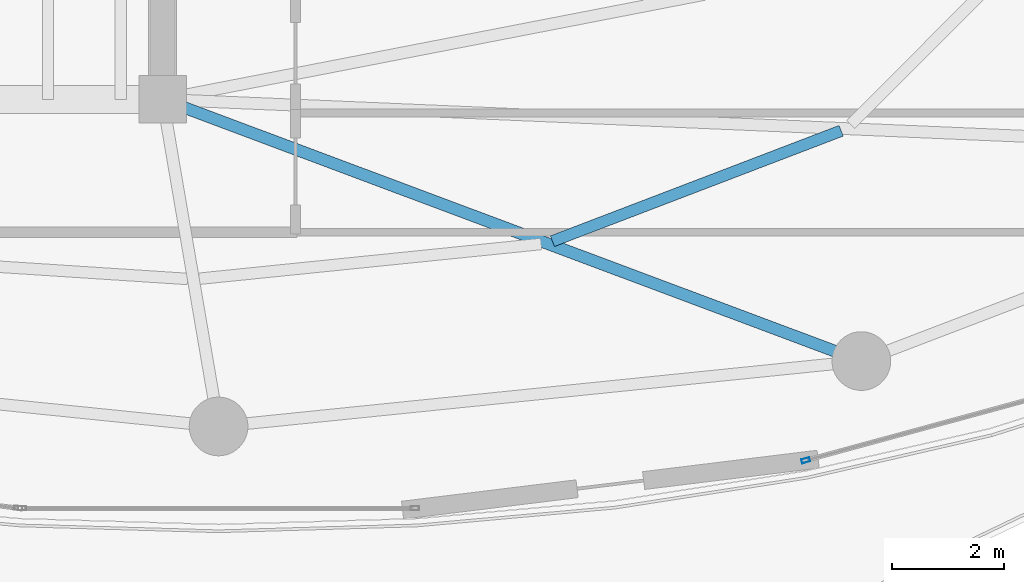
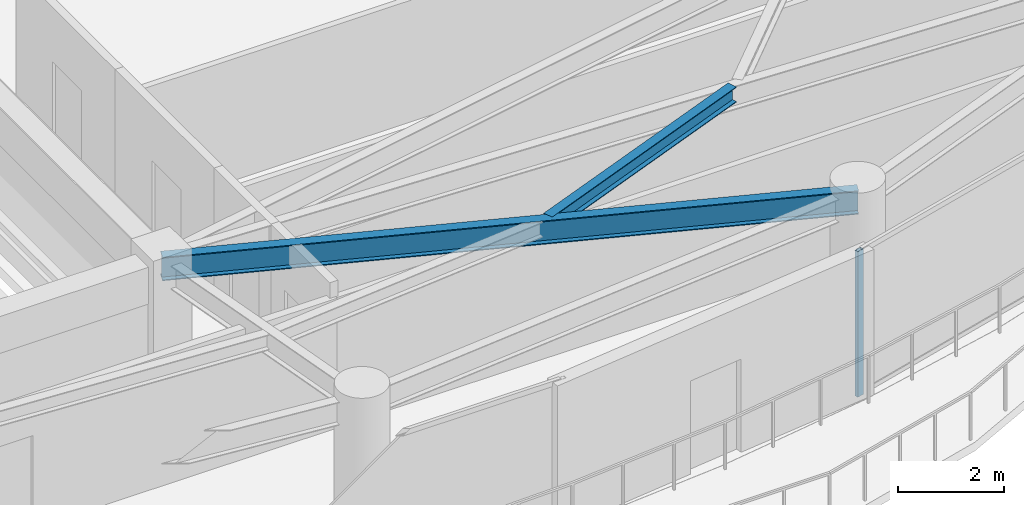
# One storey, part 10 of 29: 2 beams, 1 member, 1 element without a shape of its own.
"""IFC4 building model written with IfcOpenShell, lengths in metres."""

from ifc_helpers import new_model, si_unit, direction, frame, origin, origin_2d, place, context, subcontext, project, spatial, hollow_rectangle, i_section, extrude, material, layer, layer_set, material_profile, profile_set, type_object, element, aggregate, save


model = new_model("IFC4")

# Units and contexts
model_context = context("Model", 3, precision=1e-05, world=origin(), true_north=direction((0.0, 1.0)))
body_context = subcontext(model_context, "Body", "Model", "MODEL_VIEW")
ifc_project = project(units=[si_unit("LENGTHUNIT", "METRE"), si_unit("AREAUNIT", "SQUARE_METRE"), si_unit("VOLUMEUNIT", "CUBIC_METRE"), si_unit("PLANEANGLEUNIT", "RADIAN"), si_unit("MASSUNIT", "GRAM", prefix="KILO")], contexts=[model_context])

# Site, building, storey
site_placement = place(None, origin())
site = spatial("IfcSite", under=ifc_project, at=site_placement, CompositionType="ELEMENT")
building_placement = place(site_placement, origin())
building = spatial("IfcBuilding", under=site, at=building_placement, Name="Kazevale Care Tower and Concert Hall", CompositionType="ELEMENT")
storey_placement = place(building_placement, frame((0.0, 0.0, 199.199951171875)))
storey = spatial("IfcBuildingStorey", under=building, at=storey_placement, Name="L52", CompositionType="ELEMENT", Elevation=199.199951171875)

# Curtain wall, member
ifc_material_1 = material(Name="Aluminium 6063-T6 and Low-E Glass", Category="aluminium")
ifc_layer = layer(ifc_material_1, 0.179931640625)
ifc_layer_set = layer_set([ifc_layer], Name="Aluminium 6063-T6 and Low-E Glass")
curtain_wall_type = type_object("IfcCurtainWallType", Name="Sheltered Concave Balcony Curtain Wall CW-5", PredefinedType="NOTDEFINED", material=ifc_layer_set)
curtain_wall_placement = place(storey_placement, origin())
curtain_wall = element("IfcCurtainWall", 1, at=curtain_wall_placement, inside=storey, type_object=curtain_wall_type, Name="cw:L52:f04", PredefinedType="NOTDEFINED")
ifc_material_2 = material(Name="Aluminium 6063-T6", Category="aluminium")
ifc_material_profile_1 = material_profile(ifc_material_2, hollow_rectangle(XDim=0.074951171875, YDim=0.14990234375, WallThickness=0.00390625, at=origin_2d()), Name="ALU75x150x4")
ifc_profile_set_1 = profile_set([ifc_material_profile_1], Name="Aluminium 6063-T6")
member_type = type_object("IfcMemberType", Name="CW-5 Mullion ALU75x150x4", PredefinedType="MULLION", material=ifc_profile_set_1)
member_placement = place(storey_placement, frame((55.505126953125, 17.142822265625, 0.0), z_axis=(0.0, 0.0, 1.0), x_axis=(0.262848968947, -0.964836991167, 0.0)))
member = element("IfcMember", 2, at=member_placement, type_object=member_type, Name="CW-5 mullion 2", PredefinedType="MULLION", context=body_context, shape_type="SweptSolid", body=[
    extrude(hollow_rectangle(XDim=0.074951171875, YDim=0.14990234375, WallThickness=0.00390625, at=origin_2d()), origin(), (0.0, 0.0, 1.0), 3.360107421875),
])
aggregate(curtain_wall, [member])

# Beams
ifc_material_3 = material(Name="Steel ASTM A572 Gr 50", Category="steel")
ifc_material_profile_2 = material_profile(ifc_material_3, i_section(OverallWidth=0.2119140625, OverallDepth=0.5439453125, WebThickness=0.01318359375, FlangeThickness=0.021240234375, at=origin_2d()), Name="W530x123")
ifc_profile_set_2 = profile_set([ifc_material_profile_2], Name="Steel ASTM A572 Gr 50")
beam_type_1 = type_object("IfcBeamType", Name="Radial Floor Girder W530x123", PredefinedType="BEAM", material=ifc_profile_set_2)
beam_1_placement = place(storey_placement, frame((44.0, 23.60009765625, 3.088134765625), z_axis=(0.936509460339, -0.350642311615, 0.0), x_axis=(0.350642311615, 0.936509460339, 0.0)))
element("IfcBeam", 3, at=beam_1_placement, inside=storey, type_object=beam_type_1, Name="beam:L52:rad:14", PredefinedType="BEAM", context=body_context, shape_type="SweptSolid", body=[
    extrude(i_section(OverallWidth=0.2119140625, OverallDepth=0.5439453125, WebThickness=0.01318359375, FlangeThickness=0.021240234375, at=origin_2d()), origin(), (0.0, 0.0, 1.0), 13.347412109375),
])
ifc_material_profile_3 = material_profile(ifc_material_3, i_section(OverallWidth=0.205078125, OverallDepth=0.35400390625, WebThickness=0.009521484375, FlangeThickness=0.016845703125, at=origin_2d()), Name="W360x79")
ifc_profile_set_3 = profile_set([ifc_material_profile_3], Name="Steel ASTM A572 Gr 50")
beam_type_2 = type_object("IfcBeamType", Name="Secondary Floor Joist W360x79", PredefinedType="JOIST", material=ifc_profile_set_3)
beam_2_placement = place(storey_placement, frame((50.972900390625, 21.06396484375, 3.18310546875), z_axis=(0.934001589337, 0.35726884991, 0.0), x_axis=(-0.35726884991, 0.934001589337, 0.0)))
element("IfcBeam", 4, at=beam_2_placement, inside=storey, type_object=beam_type_2, Name="beam:L52:joist:14", PredefinedType="JOIST", context=body_context, shape_type="SweptSolid", body=[
    extrude(i_section(OverallWidth=0.205078125, OverallDepth=0.35400390625, WebThickness=0.009521484375, FlangeThickness=0.016845703125, at=origin_2d()), origin(), (0.0, 0.0, 1.0), 5.531005859375),
])

save(model, "model.ifc")
